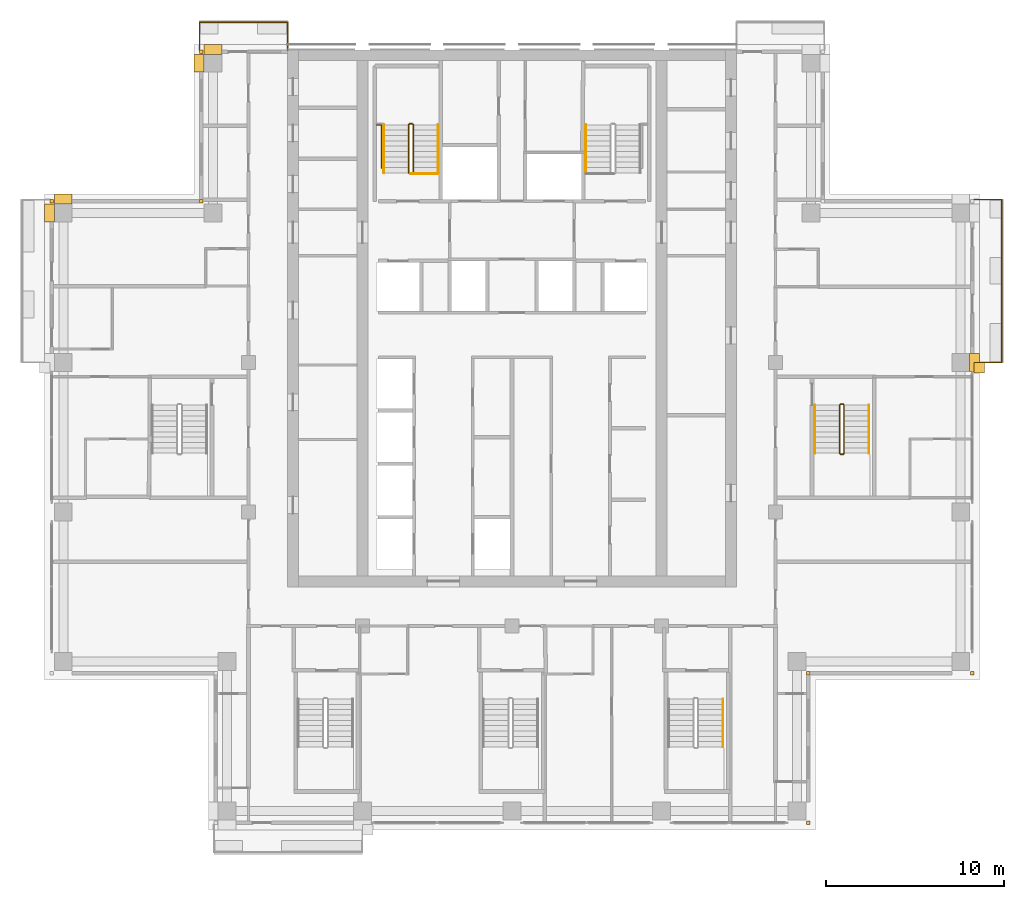
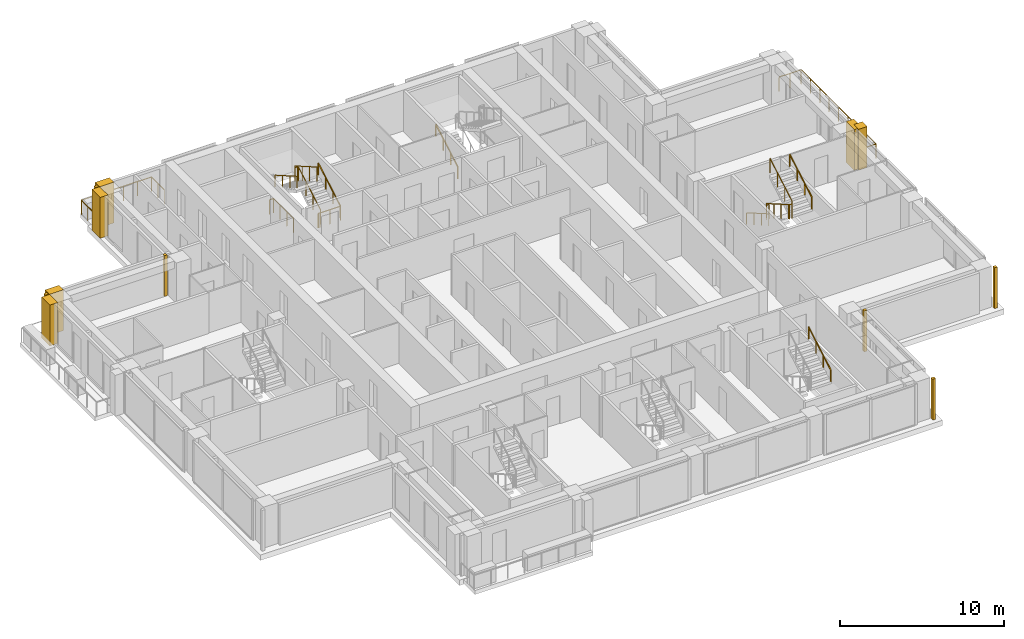
# One storey, part 15 of 16: 12 coverings, 12 railings.
"""IFC4 building model written with IfcOpenShell, lengths in metres."""

from ifc_helpers import new_model, si_unit, direction, frame, origin, origin_2d, place, context, subcontext, project, spatial, polyline, rectangle, outline, extrude, material, type_object, element, save


model = new_model("IFC4")

# Units and contexts
model_context = context("Model", 3, precision=1e-05, world=origin(), true_north=direction((0.0, 1.0)))
body_context = subcontext(model_context, "Body", "Model", "MODEL_VIEW")
ifc_project = project(units=[si_unit("LENGTHUNIT", "METRE"), si_unit("AREAUNIT", "SQUARE_METRE"), si_unit("VOLUMEUNIT", "CUBIC_METRE"), si_unit("PLANEANGLEUNIT", "RADIAN"), si_unit("MASSUNIT", "GRAM", prefix="KILO")], contexts=[model_context])

# Site, building, storey
site_placement = place(None, origin())
site = spatial("IfcSite", under=ifc_project, at=site_placement, CompositionType="ELEMENT")
building_placement = place(site_placement, origin())
building = spatial("IfcBuilding", under=site, at=building_placement, Name="Vermilion Ogive Tower", CompositionType="ELEMENT")
storey_placement = place(building_placement, frame((0.0, 0.0, 182.449951171875)))
storey = spatial("IfcBuildingStorey", under=building, at=storey_placement, Name="L47", CompositionType="ELEMENT", Elevation=182.449951171875)

# Railings
ifc_material_1 = material(Name="Stainless steel and glass", Category="steel")
railing_type_1 = type_object("IfcRailingType", Name="Balcony guard", PredefinedType="GUARDRAIL", material=ifc_material_1)
railing_1_placement = place(storey_placement, frame((25.949951171875, 4.199951171875, -0.0400390625)))
element("IfcRailing", 1, at=railing_1_placement, inside=storey, type_object=railing_type_1, Name="Guard E03", PredefinedType="GUARDRAIL", context=body_context, shape_type="SweptSolid", body=[
    extrude(rectangle(XDim=0.048095703125, YDim=0.048095703125, at=origin_2d()), frame((0.0, 0.0, 1.076171875), z_axis=(1.0, 0.0, 0.0), x_axis=(0.0, 1.0, 0.0)), (0.0, 0.0, 1.0), 1.56396484375),
    extrude(rectangle(XDim=0.048095703125, YDim=0.048095703125, at=origin_2d()), frame((1.56396484375, 0.0, 1.076171875), z_axis=(0.0, 1.0, 0.0), x_axis=(-1.0, 0.0, 0.0)), (0.0, 0.0, 1.0), 9.150146484375),
    extrude(rectangle(XDim=0.048095703125, YDim=0.048095703125, at=origin_2d()), frame((1.56396484375, 9.150146484375, 1.076171875), z_axis=(-1.0, 0.0, 0.0), x_axis=(0.0, -1.0, 0.0)), (0.0, 0.0, 1.0), 1.56396484375),
    extrude(rectangle(XDim=0.0419921875, YDim=0.0419921875, at=origin_2d()), origin(), (0.0, 0.0, 1.0), 1.052001953125),
    extrude(rectangle(XDim=0.0419921875, YDim=0.0419921875, at=origin_2d()), frame((0.781982421875, 0.0, 0.0)), (0.0, 0.0, 1.0), 1.052001953125),
    extrude(rectangle(XDim=0.0419921875, YDim=0.0419921875, at=origin_2d()), frame((1.56396484375, 0.0, 0.0)), (0.0, 0.0, 1.0), 1.052001953125),
    extrude(rectangle(XDim=0.0419921875, YDim=0.0419921875, at=origin_2d()), frame((1.56396484375, 1.143798828125, 0.0)), (0.0, 0.0, 1.0), 1.052001953125),
    extrude(rectangle(XDim=0.0419921875, YDim=0.0419921875, at=origin_2d()), frame((1.56396484375, 2.28759765625, 0.0)), (0.0, 0.0, 1.0), 1.052001953125),
    extrude(rectangle(XDim=0.0419921875, YDim=0.0419921875, at=origin_2d()), frame((1.56396484375, 3.431396484375, 0.0)), (0.0, 0.0, 1.0), 1.052001953125),
    extrude(rectangle(XDim=0.0419921875, YDim=0.0419921875, at=origin_2d()), frame((1.56396484375, 4.5751953125, 0.0)), (0.0, 0.0, 1.0), 1.052001953125),
    extrude(rectangle(XDim=0.0419921875, YDim=0.0419921875, at=origin_2d()), frame((1.56396484375, 5.71875, 0.0)), (0.0, 0.0, 1.0), 1.052001953125),
    extrude(rectangle(XDim=0.0419921875, YDim=0.0419921875, at=origin_2d()), frame((1.56396484375, 6.862548828125, 0.0)), (0.0, 0.0, 1.0), 1.052001953125),
    extrude(rectangle(XDim=0.0419921875, YDim=0.0419921875, at=origin_2d()), frame((1.56396484375, 8.00634765625, 0.0)), (0.0, 0.0, 1.0), 1.052001953125),
    extrude(rectangle(XDim=0.0419921875, YDim=0.0419921875, at=origin_2d()), frame((1.56396484375, 9.150146484375, 0.0)), (0.0, 0.0, 1.0), 1.052001953125),
    extrude(rectangle(XDim=0.0419921875, YDim=0.0419921875, at=origin_2d()), frame((0.781982421875, 9.150146484375, 0.0)), (0.0, 0.0, 1.0), 1.052001953125),
    extrude(rectangle(XDim=0.0419921875, YDim=0.0419921875, at=origin_2d()), frame((0.0, 9.150146484375, 0.0)), (0.0, 0.0, 1.0), 1.052001953125),
])
railing_2_placement = place(storey_placement, frame((-12.60009765625, 21.75, -0.0400390625)))
element("IfcRailing", 2, at=railing_2_placement, inside=storey, type_object=railing_type_1, Name="Guard N201", PredefinedType="GUARDRAIL", context=body_context, shape_type="SweptSolid", body=[
    extrude(rectangle(XDim=0.048095703125, YDim=0.048095703125, at=origin_2d()), frame((0.0, 0.0, 1.076171875), z_axis=(0.0, 1.0, 0.0), x_axis=(-1.0, 0.0, 0.0)), (0.0, 0.0, 1.0), 1.56396484375),
    extrude(rectangle(XDim=0.048095703125, YDim=0.048095703125, at=origin_2d()), frame((0.0, 1.56396484375, 1.076171875), z_axis=(-1.0, 0.0, 0.0), x_axis=(0.0, -1.0, 0.0)), (0.0, 0.0, 1.0), 4.949951171875),
    extrude(rectangle(XDim=0.048095703125, YDim=0.048095703125, at=origin_2d()), frame((-4.949951171875, 1.56396484375, 1.076171875), z_axis=(0.0, -1.0, 0.0), x_axis=(1.0, 0.0, 0.0)), (0.0, 0.0, 1.0), 1.56396484375),
    extrude(rectangle(XDim=0.0419921875, YDim=0.0419921875, at=origin_2d()), origin(), (0.0, 0.0, 1.0), 1.052001953125),
    extrude(rectangle(XDim=0.0419921875, YDim=0.0419921875, at=origin_2d()), frame((0.0, 0.781982421875, 0.0)), (0.0, 0.0, 1.0), 1.052001953125),
    extrude(rectangle(XDim=0.0419921875, YDim=0.0419921875, at=origin_2d()), frame((0.0, 1.56396484375, 0.0)), (0.0, 0.0, 1.0), 1.052001953125),
    extrude(rectangle(XDim=0.0419921875, YDim=0.0419921875, at=origin_2d()), frame((-0.989990234375, 1.56396484375, 0.0)), (0.0, 0.0, 1.0), 1.052001953125),
    extrude(rectangle(XDim=0.0419921875, YDim=0.0419921875, at=origin_2d()), frame((-1.97998046875, 1.56396484375, 0.0)), (0.0, 0.0, 1.0), 1.052001953125),
    extrude(rectangle(XDim=0.0419921875, YDim=0.0419921875, at=origin_2d()), frame((-2.969970703125, 1.56396484375, 0.0)), (0.0, 0.0, 1.0), 1.052001953125),
    extrude(rectangle(XDim=0.0419921875, YDim=0.0419921875, at=origin_2d()), frame((-3.9599609375, 1.56396484375, 0.0)), (0.0, 0.0, 1.0), 1.052001953125),
    extrude(rectangle(XDim=0.0419921875, YDim=0.0419921875, at=origin_2d()), frame((-4.949951171875, 1.56396484375, 0.0)), (0.0, 0.0, 1.0), 1.052001953125),
    extrude(rectangle(XDim=0.0419921875, YDim=0.0419921875, at=origin_2d()), frame((-4.949951171875, 0.781982421875, 0.0)), (0.0, 0.0, 1.0), 1.052001953125),
    extrude(rectangle(XDim=0.0419921875, YDim=0.0419921875, at=origin_2d()), frame((-4.949951171875, 0.0, 0.0)), (0.0, 0.0, 1.0), 1.052001953125),
])
ifc_material_2 = material(Name="Steel S355 painted", Category="steel")
railing_type_2 = type_object("IfcRailingType", Name="Stair guard 1100", PredefinedType="GUARDRAIL", material=ifc_material_2)
railing_3_placement = place(storey_placement, frame((-5.75, 14.800048828125, 0.0)))
element("IfcRailing", 3, at=railing_3_placement, inside=storey, type_object=railing_type_2, Name="L47 ST1 stair guard 4", PredefinedType="GUARDRAIL", context=body_context, shape_type="SweptSolid", body=[
    extrude(rectangle(XDim=0.048095703125, YDim=0.048095703125, at=origin_2d()), frame((0.0, 0.0, 1.076171875), z_axis=(1.0, 0.0, 0.0), x_axis=(0.0, 1.0, 0.0)), (0.0, 0.0, 1.0), 0.14990234375),
    extrude(rectangle(XDim=0.048095703125, YDim=0.048095703125, at=origin_2d()), frame((0.14990234375, 0.0, 1.076171875), z_axis=(0.268277960024, 0.268277960024, 0.925231793839), x_axis=(-0.707106781187, 0.707106781187, 0.0)), (0.0, 0.0, 1.0), 0.1865234375),
    extrude(rectangle(XDim=0.048095703125, YDim=0.048095703125, at=origin_2d()), frame((0.199951171875, 0.050048828125, 1.24853515625), z_axis=(0.0, 0.866903762492, 0.498475542607), x_axis=(-1.0, 0.0, 0.0)), (0.0, 0.0, 1.0), 3.114501953125),
    extrude(rectangle(XDim=0.048095703125, YDim=0.048095703125, at=origin_2d()), frame((0.199951171875, 2.75, 2.80126953125), z_axis=(-0.707106781187, 0.707106781187, 0.0), x_axis=(-0.707106781187, -0.707106781187, 0.0)), (0.0, 0.0, 1.0), 0.07080078125),
    extrude(rectangle(XDim=0.048095703125, YDim=0.048095703125, at=origin_2d()), frame((0.14990234375, 2.800048828125, 2.80126953125), z_axis=(-1.0, 0.0, 0.0), x_axis=(0.0, -1.0, 0.0)), (0.0, 0.0, 1.0), 0.14990234375),
    extrude(rectangle(XDim=0.048095703125, YDim=0.048095703125, at=origin_2d()), frame((0.0, 2.800048828125, 2.80126953125), z_axis=(-0.268603158521, -0.268603158521, 0.925043072762), x_axis=(0.707106781187, -0.707106781187, 0.0)), (0.0, 0.0, 1.0), 0.186279296875),
    extrude(rectangle(XDim=0.048095703125, YDim=0.048095703125, at=origin_2d()), frame((-0.050048828125, 2.75, 2.9736328125), z_axis=(0.0, -0.866903762492, 0.498475542607), x_axis=(1.0, 0.0, 0.0)), (0.0, 0.0, 1.0), 3.114501953125),
    extrude(rectangle(XDim=0.0419921875, YDim=0.0419921875, at=origin_2d()), origin(), (0.0, 0.0, 1.0), 1.052001953125),
    extrude(rectangle(XDim=0.0419921875, YDim=0.0419921875, at=origin_2d()), frame((0.14990234375, 0.0, 0.0)), (0.0, 0.0, 1.0), 1.052001953125),
    extrude(rectangle(XDim=0.0419921875, YDim=0.0419921875, at=origin_2d()), frame((0.199951171875, 0.050048828125, 0.172607421875)), (0.0, 0.0, 1.0), 1.052001953125),
    extrude(rectangle(XDim=0.0419921875, YDim=0.0419921875, at=origin_2d()), frame((0.199951171875, 0.949951171875, 0.690185546875)), (0.0, 0.0, 1.0), 1.052001953125),
    extrude(rectangle(XDim=0.0419921875, YDim=0.0419921875, at=origin_2d()), frame((0.199951171875, 1.85009765625, 1.20751953125)), (0.0, 0.0, 1.0), 1.052001953125),
    extrude(rectangle(XDim=0.0419921875, YDim=0.0419921875, at=origin_2d()), frame((0.199951171875, 2.75, 1.72509765625)), (0.0, 0.0, 1.0), 1.052001953125),
    extrude(rectangle(XDim=0.0419921875, YDim=0.0419921875, at=origin_2d()), frame((0.14990234375, 2.800048828125, 1.72509765625)), (0.0, 0.0, 1.0), 1.052001953125),
    extrude(rectangle(XDim=0.0419921875, YDim=0.0419921875, at=origin_2d()), frame((0.0, 2.800048828125, 1.72509765625)), (0.0, 0.0, 1.0), 1.052001953125),
    extrude(rectangle(XDim=0.0419921875, YDim=0.0419921875, at=origin_2d()), frame((-0.050048828125, 2.75, 1.8974609375)), (0.0, 0.0, 1.0), 1.052001953125),
    extrude(rectangle(XDim=0.0419921875, YDim=0.0419921875, at=origin_2d()), frame((-0.050048828125, 1.85009765625, 2.4150390625)), (0.0, 0.0, 1.0), 1.052001953125),
    extrude(rectangle(XDim=0.0419921875, YDim=0.0419921875, at=origin_2d()), frame((-0.050048828125, 0.949951171875, 2.932373046875)), (0.0, 0.0, 1.0), 1.052001953125),
    extrude(rectangle(XDim=0.0419921875, YDim=0.0419921875, at=origin_2d()), frame((-0.050048828125, 0.050048828125, 3.449951171875)), (0.0, 0.0, 1.0), 1.052001953125),
])
railing_4_placement = place(storey_placement, frame((18.60009765625, 1.85009765625, 0.0)))
element("IfcRailing", 4, at=railing_4_placement, inside=storey, type_object=railing_type_2, Name="L47 ST8 stair guard 4", PredefinedType="GUARDRAIL", context=body_context, shape_type="SweptSolid", body=[
    extrude(rectangle(XDim=0.048095703125, YDim=0.048095703125, at=origin_2d()), frame((0.0, 0.0, 1.076171875), z_axis=(-1.0, 0.0, 0.0), x_axis=(0.0, -1.0, 0.0)), (0.0, 0.0, 1.0), 0.150146484375),
    extrude(rectangle(XDim=0.048095703125, YDim=0.048095703125, at=origin_2d()), frame((-0.150146484375, 0.0, 1.076171875), z_axis=(-0.268277960024, -0.268277960024, 0.925231793839), x_axis=(0.707106781187, -0.707106781187, 0.0)), (0.0, 0.0, 1.0), 0.1865234375),
    extrude(rectangle(XDim=0.048095703125, YDim=0.048095703125, at=origin_2d()), frame((-0.2001953125, -0.050048828125, 1.24853515625), z_axis=(0.0, -0.866903762492, 0.498475542607), x_axis=(1.0, 0.0, 0.0)), (0.0, 0.0, 1.0), 3.114501953125),
    extrude(rectangle(XDim=0.048095703125, YDim=0.048095703125, at=origin_2d()), frame((-0.2001953125, -2.75, 2.80126953125), z_axis=(0.707106781187, -0.707106781187, 0.0), x_axis=(0.707106781187, 0.707106781187, 0.0)), (0.0, 0.0, 1.0), 0.07080078125),
    extrude(rectangle(XDim=0.048095703125, YDim=0.048095703125, at=origin_2d()), frame((-0.150146484375, -2.800048828125, 2.80126953125), z_axis=(1.0, 0.0, 0.0), x_axis=(0.0, 1.0, 0.0)), (0.0, 0.0, 1.0), 0.150146484375),
    extrude(rectangle(XDim=0.048095703125, YDim=0.048095703125, at=origin_2d()), frame((0.0, -2.800048828125, 2.80126953125), z_axis=(0.267386790225, 0.268697509785, 0.925368009307), x_axis=(-0.708833529934, 0.705375805398, 0.0)), (0.0, 0.0, 1.0), 0.186279296875),
    extrude(rectangle(XDim=0.048095703125, YDim=0.048095703125, at=origin_2d()), frame((0.0498046875, -2.75, 2.9736328125), z_axis=(0.0, 0.866903762492, 0.498475542607), x_axis=(-1.0, 0.0, 0.0)), (0.0, 0.0, 1.0), 3.114501953125),
    extrude(rectangle(XDim=0.0419921875, YDim=0.0419921875, at=origin_2d()), origin(), (0.0, 0.0, 1.0), 1.052001953125),
    extrude(rectangle(XDim=0.0419921875, YDim=0.0419921875, at=origin_2d()), frame((-0.150146484375, 0.0, 0.0)), (0.0, 0.0, 1.0), 1.052001953125),
    extrude(rectangle(XDim=0.0419921875, YDim=0.0419921875, at=origin_2d()), frame((-0.2001953125, -0.050048828125, 0.172607421875)), (0.0, 0.0, 1.0), 1.052001953125),
    extrude(rectangle(XDim=0.0419921875, YDim=0.0419921875, at=origin_2d()), frame((-0.2001953125, -0.949951171875, 0.690185546875)), (0.0, 0.0, 1.0), 1.052001953125),
    extrude(rectangle(XDim=0.0419921875, YDim=0.0419921875, at=origin_2d()), frame((-0.2001953125, -1.85009765625, 1.20751953125)), (0.0, 0.0, 1.0), 1.052001953125),
    extrude(rectangle(XDim=0.0419921875, YDim=0.0419921875, at=origin_2d()), frame((-0.2001953125, -2.75, 1.72509765625)), (0.0, 0.0, 1.0), 1.052001953125),
    extrude(rectangle(XDim=0.0419921875, YDim=0.0419921875, at=origin_2d()), frame((-0.150146484375, -2.800048828125, 1.72509765625)), (0.0, 0.0, 1.0), 1.052001953125),
    extrude(rectangle(XDim=0.0419921875, YDim=0.0419921875, at=origin_2d()), frame((0.0, -2.800048828125, 1.72509765625)), (0.0, 0.0, 1.0), 1.052001953125),
    extrude(rectangle(XDim=0.0419921875, YDim=0.0419921875, at=origin_2d()), frame((0.0498046875, -2.75, 1.8974609375)), (0.0, 0.0, 1.0), 1.052001953125),
    extrude(rectangle(XDim=0.0419921875, YDim=0.0419921875, at=origin_2d()), frame((0.0498046875, -1.85009765625, 2.4150390625)), (0.0, 0.0, 1.0), 1.052001953125),
    extrude(rectangle(XDim=0.0419921875, YDim=0.0419921875, at=origin_2d()), frame((0.0498046875, -0.949951171875, 2.932373046875)), (0.0, 0.0, 1.0), 1.052001953125),
    extrude(rectangle(XDim=0.0419921875, YDim=0.0419921875, at=origin_2d()), frame((0.0498046875, -0.050048828125, 3.449951171875)), (0.0, 0.0, 1.0), 1.052001953125),
])
railing_5_placement = place(storey_placement, frame((-4.159912109375, 14.7900390625, 0.0)))
element("IfcRailing", 5, at=railing_5_placement, inside=storey, type_object=railing_type_2, Name="L47 stair opening guard", PredefinedType="GUARDRAIL", context=body_context, shape_type="SweptSolid", body=[
    extrude(rectangle(XDim=0.048095703125, YDim=0.048095703125, at=origin_2d()), frame((0.0, 0.0, 1.076171875), z_axis=(-1.0, 0.0, 0.0), x_axis=(0.0, -1.0, 0.0)), (0.0, 0.0, 1.0), 1.5400390625),
    extrude(rectangle(XDim=0.0419921875, YDim=0.0419921875, at=origin_2d()), origin(), (0.0, 0.0, 1.0), 1.052001953125),
    extrude(rectangle(XDim=0.0419921875, YDim=0.0419921875, at=origin_2d()), frame((-0.77001953125, 0.0, 0.0)), (0.0, 0.0, 1.0), 1.052001953125),
    extrude(rectangle(XDim=0.0419921875, YDim=0.0419921875, at=origin_2d()), frame((-1.5400390625, 0.0, 0.0)), (0.0, 0.0, 1.0), 1.052001953125),
])
railing_6_placement = place(storey_placement, frame((-7.3095703125, 15.11865234375, 0.0)))
element("IfcRailing", 6, at=railing_6_placement, inside=storey, type_object=railing_type_2, Name="L47 stair opening guard", PredefinedType="GUARDRAIL", context=body_context, shape_type="SweptSolid", body=[
    extrude(rectangle(XDim=0.048095703125, YDim=0.048095703125, at=origin_2d()), frame((0.0, 0.0, 1.076171875), z_axis=(0.0, 1.0, 0.0), x_axis=(-1.0, 0.0, 0.0)), (0.0, 0.0, 1.0), 2.42431640625),
    extrude(rectangle(XDim=0.048095703125, YDim=0.048095703125, at=origin_2d()), frame((0.0, 2.42431640625, 1.076171875), z_axis=(-1.0, 0.0, 0.0), x_axis=(0.0, -1.0, 0.0)), (0.0, 0.0, 1.0), 0.2900390625),
    extrude(rectangle(XDim=0.0419921875, YDim=0.0419921875, at=origin_2d()), origin(), (0.0, 0.0, 1.0), 1.052001953125),
    extrude(rectangle(XDim=0.0419921875, YDim=0.0419921875, at=origin_2d()), frame((0.0, 0.80810546875, 0.0)), (0.0, 0.0, 1.0), 1.052001953125),
    extrude(rectangle(XDim=0.0419921875, YDim=0.0419921875, at=origin_2d()), frame((0.0, 1.6162109375, 0.0)), (0.0, 0.0, 1.0), 1.052001953125),
    extrude(rectangle(XDim=0.0419921875, YDim=0.0419921875, at=origin_2d()), frame((0.0, 2.42431640625, 0.0)), (0.0, 0.0, 1.0), 1.052001953125),
    extrude(rectangle(XDim=0.0419921875, YDim=0.0419921875, at=origin_2d()), frame((-0.2900390625, 2.42431640625, 0.0)), (0.0, 0.0, 1.0), 1.052001953125),
])
ifc_material_3 = material(Name="Stainless steel", Category="steel")
railing_type_3 = type_object("IfcRailingType", Name="Stair handrail 900", PredefinedType="HANDRAIL", material=ifc_material_3)
railing_7_placement = place(storey_placement, frame((-4.14990234375, 14.85009765625, 0.172607421875)))
element("IfcRailing", 7, at=railing_7_placement, inside=storey, type_object=railing_type_3, Name="L47 ST1 stair handrail 1", PredefinedType="HANDRAIL", context=body_context, shape_type="SweptSolid", body=[
    extrude(rectangle(XDim=0.048095703125, YDim=0.048095703125, at=origin_2d()), frame((0.0, 0.0, 0.8759765625), z_axis=(0.0, 0.866903762492, 0.498475542607), x_axis=(-1.0, 0.0, 0.0)), (0.0, 0.0, 1.0), 3.114501953125),
    extrude(rectangle(XDim=0.0419921875, YDim=0.0419921875, at=origin_2d()), origin(), (0.0, 0.0, 1.0), 0.851806640625),
    extrude(rectangle(XDim=0.0419921875, YDim=0.0419921875, at=origin_2d()), frame((0.0, 0.89990234375, 0.517578125)), (0.0, 0.0, 1.0), 0.851806640625),
    extrude(rectangle(XDim=0.0419921875, YDim=0.0419921875, at=origin_2d()), frame((0.0, 1.800048828125, 1.034912109375)), (0.0, 0.0, 1.0), 0.851806640625),
    extrude(rectangle(XDim=0.0419921875, YDim=0.0419921875, at=origin_2d()), frame((0.0, 2.699951171875, 1.552490234375)), (0.0, 0.0, 1.0), 0.851806640625),
])
railing_8_placement = place(storey_placement, frame((-7.199951171875, 17.550048828125, 1.8974609375)))
element("IfcRailing", 8, at=railing_8_placement, inside=storey, type_object=railing_type_3, Name="L47 ST1 stair handrail 2", PredefinedType="HANDRAIL", context=body_context, shape_type="SweptSolid", body=[
    extrude(rectangle(XDim=0.048095703125, YDim=0.048095703125, at=origin_2d()), frame((0.0, 0.0, 0.8759765625), z_axis=(0.0, -0.866903762492, 0.498475542607), x_axis=(1.0, 0.0, 0.0)), (0.0, 0.0, 1.0), 3.114501953125),
    extrude(rectangle(XDim=0.0419921875, YDim=0.0419921875, at=origin_2d()), origin(), (0.0, 0.0, 1.0), 0.851806640625),
    extrude(rectangle(XDim=0.0419921875, YDim=0.0419921875, at=origin_2d()), frame((0.0, -0.89990234375, 0.517578125)), (0.0, 0.0, 1.0), 0.851806640625),
    extrude(rectangle(XDim=0.0419921875, YDim=0.0419921875, at=origin_2d()), frame((0.0, -1.800048828125, 1.034912109375)), (0.0, 0.0, 1.0), 0.851806640625),
    extrude(rectangle(XDim=0.0419921875, YDim=0.0419921875, at=origin_2d()), frame((0.0, -2.699951171875, 1.552490234375)), (0.0, 0.0, 1.0), 0.851806640625),
])
for number, where, name in (
    (9, (4.14990234375, 14.85009765625, 0.172607421875), "L47 ST2 stair handrail 1"),
    (10, (11.85009765625, -17.39990234375, 1.8974609375), "L47 ST5 stair handrail 2"),
):
    element("IfcRailing", number, at=place(storey_placement, frame(where)), inside=storey, type_object=railing_type_3, Name=name, PredefinedType="HANDRAIL", context=body_context, shape_type="SweptSolid", body=[
        extrude(rectangle(XDim=0.048095703125, YDim=0.048095703125, at=origin_2d()), frame((0.0, 0.0, 0.8759765625), z_axis=(0.0, 0.866903762492, 0.498475542607), x_axis=(-1.0, 0.0, 0.0)), (0.0, 0.0, 1.0), 3.114501953125),
        extrude(rectangle(XDim=0.0419921875, YDim=0.0419921875, at=origin_2d()), origin(), (0.0, 0.0, 1.0), 0.851806640625),
        extrude(rectangle(XDim=0.0419921875, YDim=0.0419921875, at=origin_2d()), frame((0.0, 0.89990234375, 0.517578125)), (0.0, 0.0, 1.0), 0.851806640625),
        extrude(rectangle(XDim=0.0419921875, YDim=0.0419921875, at=origin_2d()), frame((0.0, 1.800048828125, 1.034912109375)), (0.0, 0.0, 1.0), 0.851806640625),
        extrude(rectangle(XDim=0.0419921875, YDim=0.0419921875, at=origin_2d()), frame((0.0, 2.699951171875, 1.552490234375)), (0.0, 0.0, 1.0), 0.851806640625),
    ])
railing_9_placement = place(storey_placement, frame((17.0, 1.800048828125, 0.172607421875)))
element("IfcRailing", 11, at=railing_9_placement, inside=storey, type_object=railing_type_3, Name="L47 ST8 stair handrail 1", PredefinedType="HANDRAIL", context=body_context, shape_type="SweptSolid", body=[
    extrude(rectangle(XDim=0.048095703125, YDim=0.048095703125, at=origin_2d()), frame((0.0, 0.0, 0.8759765625), z_axis=(0.0, -0.866903762492, 0.498475542607), x_axis=(1.0, 0.0, 0.0)), (0.0, 0.0, 1.0), 3.114501953125),
    extrude(rectangle(XDim=0.0419921875, YDim=0.0419921875, at=origin_2d()), origin(), (0.0, 0.0, 1.0), 0.851806640625),
    extrude(rectangle(XDim=0.0419921875, YDim=0.0419921875, at=origin_2d()), frame((0.0, -0.89990234375, 0.517578125)), (0.0, 0.0, 1.0), 0.851806640625),
    extrude(rectangle(XDim=0.0419921875, YDim=0.0419921875, at=origin_2d()), frame((0.0, -1.800048828125, 1.034912109375)), (0.0, 0.0, 1.0), 0.851806640625),
    extrude(rectangle(XDim=0.0419921875, YDim=0.0419921875, at=origin_2d()), frame((0.0, -2.699951171875, 1.552490234375)), (0.0, 0.0, 1.0), 0.851806640625),
])
railing_10_placement = place(storey_placement, frame((20.050048828125, -0.89990234375, 1.8974609375)))
element("IfcRailing", 12, at=railing_10_placement, inside=storey, type_object=railing_type_3, Name="L47 ST8 stair handrail 2", PredefinedType="HANDRAIL", context=body_context, shape_type="SweptSolid", body=[
    extrude(rectangle(XDim=0.048095703125, YDim=0.048095703125, at=origin_2d()), frame((0.0, 0.0, 0.8759765625), z_axis=(0.0, 0.866903762492, 0.498475542607), x_axis=(-1.0, 0.0, 0.0)), (0.0, 0.0, 1.0), 3.114501953125),
    extrude(rectangle(XDim=0.0419921875, YDim=0.0419921875, at=origin_2d()), origin(), (0.0, 0.0, 1.0), 0.851806640625),
    extrude(rectangle(XDim=0.0419921875, YDim=0.0419921875, at=origin_2d()), frame((0.0, 0.89990234375, 0.517578125)), (0.0, 0.0, 1.0), 0.851806640625),
    extrude(rectangle(XDim=0.0419921875, YDim=0.0419921875, at=origin_2d()), frame((0.0, 1.800048828125, 1.034912109375)), (0.0, 0.0, 1.0), 0.851806640625),
    extrude(rectangle(XDim=0.0419921875, YDim=0.0419921875, at=origin_2d()), frame((0.0, 2.699951171875, 1.552490234375)), (0.0, 0.0, 1.0), 0.851806640625),
])

# Coverings
ifc_material_4 = material(Name="Stone cladding", Category="masonry")
covering_type_1 = type_object("IfcCoveringType", Name="Stone corner buttress", PredefinedType="CLADDING", material=ifc_material_4)
covering_1_placement = place(storey_placement, origin())
element("IfcCovering", 13, at=covering_1_placement, inside=storey, type_object=covering_type_1, Name="Stone crease pier EK", PredefinedType="CLADDING", context=body_context, shape_type="SweptSolid", body=[
    extrude(outline(polyline([(26.550048828125, 3.60009765625), (26.550048828125, 4.199951171875), (25.949951171875, 4.199951171875), (25.949951171875, 3.60009765625), (26.550048828125, 3.60009765625)])), origin(), (0.0, 0.0, 1.0), 3.050048828125),
])
ifc_material_5 = material(Name="Stone cladding", Category="masonry")
covering_type_2 = type_object("IfcCoveringType", Name="Stone pier", PredefinedType="CLADDING", material=ifc_material_5)
covering_2_placement = place(storey_placement, origin())
element("IfcCovering", 14, at=covering_2_placement, inside=storey, type_object=covering_type_2, Name="Stone corner pier SE1", PredefinedType="CLADDING", context=body_context, shape_type="SweptSolid", body=[
    extrude(outline(polyline([(16.550048828125, -21.550048828125), (16.75, -21.550048828125), (16.75, -21.75), (16.550048828125, -21.75), (16.550048828125, -21.550048828125)])), origin(), (0.0, 0.0, 1.0), 3.050048828125),
])
covering_3_placement = place(storey_placement, origin())
element("IfcCovering", 15, at=covering_3_placement, inside=storey, type_object=covering_type_2, Name="Stone corner pier X1E1", PredefinedType="CLADDING", context=body_context, shape_type="SweptSolid", body=[
    extrude(outline(polyline([(16.550048828125, -13.14990234375), (16.75, -13.14990234375), (16.75, -13.35009765625), (16.550048828125, -13.35009765625), (16.550048828125, -13.14990234375)])), origin(), (0.0, 0.0, 1.0), 3.050048828125),
])
covering_4_placement = place(storey_placement, origin())
element("IfcCovering", 16, at=covering_4_placement, inside=storey, type_object=covering_type_2, Name="Stone corner pier X2E1", PredefinedType="CLADDING", context=body_context, shape_type="SweptSolid", body=[
    extrude(outline(polyline([(25.75, -13.14990234375), (25.949951171875, -13.14990234375), (25.949951171875, -13.35009765625), (25.75, -13.35009765625), (25.75, -13.14990234375)])), origin(), (0.0, 0.0, 1.0), 3.050048828125),
])
covering_5_placement = place(storey_placement, origin())
element("IfcCovering", 17, at=covering_5_placement, inside=storey, type_object=covering_type_2, Name="Stone corner pier N2E1", PredefinedType="CLADDING", context=body_context, shape_type="SweptSolid", body=[
    extrude(outline(polyline([(-17.35009765625, 21.550048828125), (-17.550048828125, 21.550048828125), (-17.550048828125, 21.75), (-17.35009765625, 21.75), (-17.35009765625, 21.550048828125)])), origin(), (0.0, 0.0, 1.0), 3.050048828125),
])
covering_6_placement = place(storey_placement, origin())
element("IfcCovering", 18, at=covering_6_placement, inside=storey, type_object=covering_type_2, Name="Stone corner pier X5E1", PredefinedType="CLADDING", context=body_context, shape_type="SweptSolid", body=[
    extrude(outline(polyline([(-17.35009765625, 13.14990234375), (-17.550048828125, 13.14990234375), (-17.550048828125, 13.35009765625), (-17.35009765625, 13.35009765625), (-17.35009765625, 13.14990234375)])), origin(), (0.0, 0.0, 1.0), 3.050048828125),
])
covering_7_placement = place(storey_placement, origin())
element("IfcCovering", 19, at=covering_7_placement, inside=storey, type_object=covering_type_2, Name="Stone corner pier X6E1", PredefinedType="CLADDING", context=body_context, shape_type="SweptSolid", body=[
    extrude(outline(polyline([(-25.75, 13.14990234375), (-25.949951171875, 13.14990234375), (-25.949951171875, 13.35009765625), (-25.75, 13.35009765625), (-25.75, 13.14990234375)])), origin(), (0.0, 0.0, 1.0), 3.050048828125),
])
covering_8_placement = place(storey_placement, origin())
element("IfcCovering", 20, at=covering_8_placement, inside=storey, type_object=covering_type_2, Name="Stone pier P+0252+042", PredefinedType="CLADDING", context=body_context, shape_type="SweptSolid", body=[
    extrude(outline(polyline([(25.699951171875, 4.699951171875), (26.25, 4.699951171875), (26.25, 4.199951171875), (25.949951171875, 4.199951171875), (25.949951171875, 3.699951171875), (25.699951171875, 3.699951171875), (25.699951171875, 4.699951171875), (25.699951171875, 4.699951171875)])), origin(), (0.0, 0.0, 1.0), 3.050048828125),
])
covering_9_placement = place(storey_placement, origin())
element("IfcCovering", 21, at=covering_9_placement, inside=storey, type_object=covering_type_2, Name="Stone pier P-0168+210N2", PredefinedType="CLADDING", context=body_context, shape_type="SweptSolid", body=[
    extrude(outline(polyline([(-17.300048828125, 21.5), (-17.300048828125, 22.050048828125), (-16.300048828125, 22.050048828125), (-16.300048828125, 21.5), (-17.300048828125, 21.5), (-17.300048828125, 21.5)])), origin(), (0.0, 0.0, 1.0), 3.050048828125),
])
covering_10_placement = place(storey_placement, origin())
element("IfcCovering", 22, at=covering_10_placement, inside=storey, type_object=covering_type_2, Name="Stone pier P-0168+210X5", PredefinedType="CLADDING", context=body_context, shape_type="SweptSolid", body=[
    extrude(outline(polyline([(-17.85009765625, 21.5), (-17.300048828125, 21.5), (-17.300048828125, 21.5), (-17.300048828125, 20.5), (-17.85009765625, 20.5), (-17.85009765625, 21.5)])), origin(), (0.0, 0.0, 1.0), 3.050048828125),
])
covering_11_placement = place(storey_placement, origin())
element("IfcCovering", 23, at=covering_11_placement, inside=storey, type_object=covering_type_2, Name="Stone pier P-0252+126X6", PredefinedType="CLADDING", context=body_context, shape_type="SweptSolid", body=[
    extrude(outline(polyline([(-25.699951171875, 13.10009765625), (-25.699951171875, 13.64990234375), (-24.699951171875, 13.64990234375), (-24.699951171875, 13.10009765625), (-24.699951171875, 13.10009765625), (-25.699951171875, 13.10009765625)])), origin(), (0.0, 0.0, 1.0), 3.050048828125),
])
covering_12_placement = place(storey_placement, origin())
element("IfcCovering", 24, at=covering_12_placement, inside=storey, type_object=covering_type_2, Name="Stone pier P-0252+126W", PredefinedType="CLADDING", context=body_context, shape_type="SweptSolid", body=[
    extrude(outline(polyline([(-26.25, 13.10009765625), (-25.699951171875, 13.10009765625), (-25.699951171875, 12.10009765625), (-26.25, 12.10009765625), (-26.25, 13.10009765625)])), origin(), (0.0, 0.0, 1.0), 3.050048828125),
])

save(model, "model.ifc")
